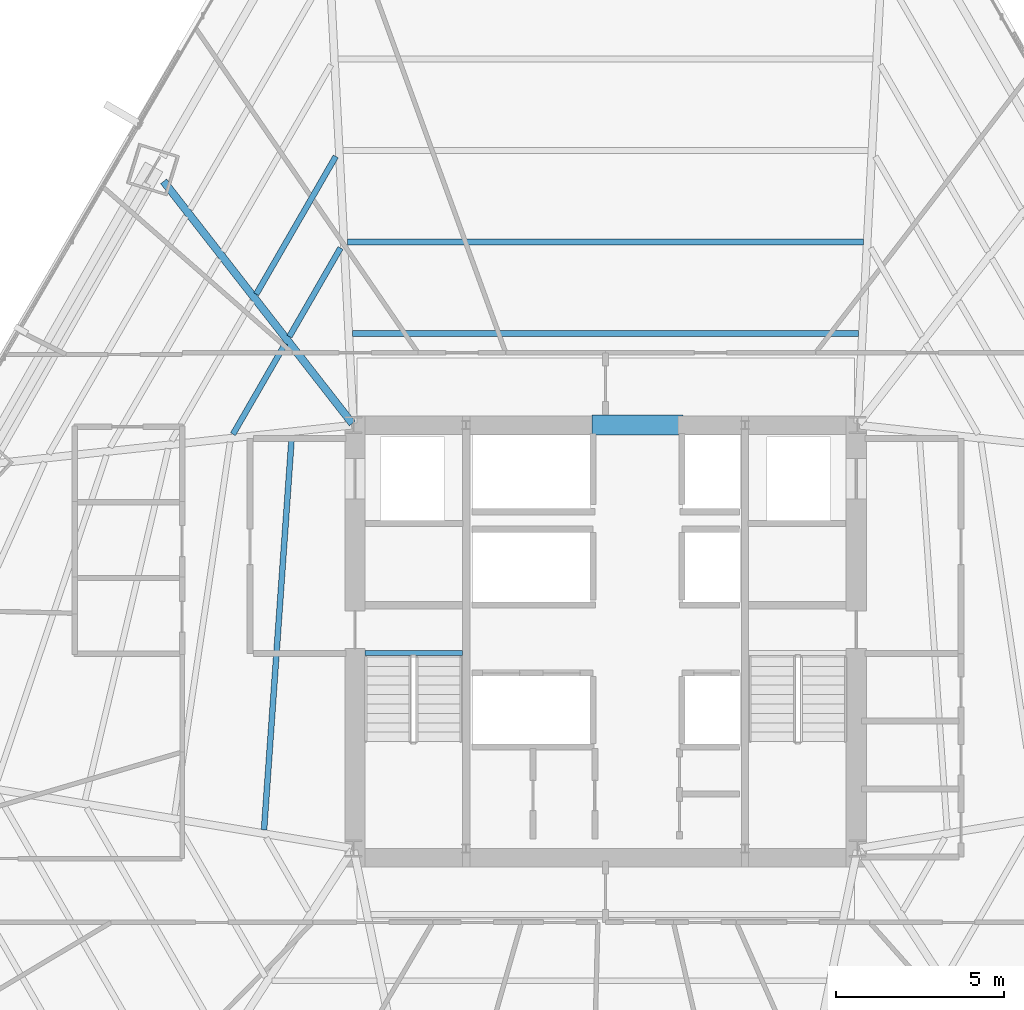
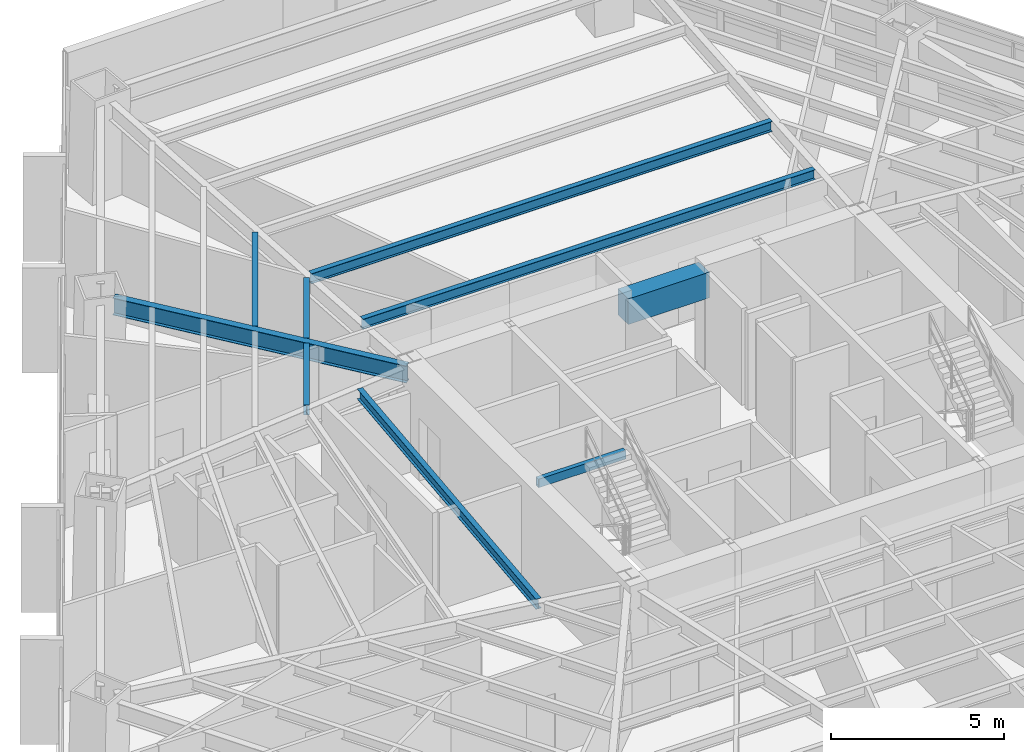
# One storey, part 15 of 36: 9 beams.
"""IFC4 building model written with IfcOpenShell, lengths in metres."""

from ifc_helpers import new_model, si_unit, direction, frame, origin, origin_2d, place, context, subcontext, project, spatial, rectangle, hollow_rectangle, i_section, extrude, source, transform, mapped, material, material_profile, profile_set, type_object, type_shapes, element, save


model = new_model("IFC4")

# Units and contexts
model_context = context("Model", 3, precision=1e-05, world=origin(), true_north=direction((0.0, 1.0)))
body_context = subcontext(model_context, "Body", "Model", "MODEL_VIEW")
ifc_project = project(units=[si_unit("LENGTHUNIT", "METRE"), si_unit("AREAUNIT", "SQUARE_METRE"), si_unit("VOLUMEUNIT", "CUBIC_METRE"), si_unit("PLANEANGLEUNIT", "RADIAN"), si_unit("MASSUNIT", "GRAM", prefix="KILO")], contexts=[model_context])

# Site, building, storey
site_placement = place(None, origin())
site = spatial("IfcSite", under=ifc_project, at=site_placement, CompositionType="ELEMENT")
building_placement = place(site_placement, origin())
building = spatial("IfcBuilding", under=site, at=building_placement, Name="Caelisora Broadcast Tower", CompositionType="ELEMENT")
storey_placement = place(building_placement, frame((0.0, 0.0, 64.10009765625)))
storey = spatial("IfcBuildingStorey", under=building, at=storey_placement, Name="L16", CompositionType="ELEMENT", Elevation=64.10009765625)

# Beams
ifc_material_1 = material(Name="Steel Grade 350 (AS/NZS 1163 C350L0)", Category="steel")
ifc_material_profile_1 = material_profile(ifc_material_1, hollow_rectangle(XDim=0.14990234375, YDim=0.300048828125, WallThickness=0.010009765625, at=origin_2d()), Name="Steel Grade 350 (AS/NZS 1163 C350L0)")
ifc_profile_set_1 = profile_set([ifc_material_profile_1], Name="Steel Grade 350 (AS/NZS 1163 C350L0)")
beam_type_1 = type_object("IfcBeamType", Name="SB05", PredefinedType="JOIST", material=ifc_profile_set_1)
shared_shape_1 = source(origin(), body_context, "Body", "SweptSolid", [
    extrude(hollow_rectangle(XDim=0.14990234375, YDim=0.300048828125, WallThickness=0.010009765625, at=origin_2d()), origin(), (0.0, 0.0, 1.0), 2.89990234375),
])
type_shapes(beam_type_1, [shared_shape_1])
beam_1_placement = place(storey_placement, frame((30.840087890625, 23.219970703125, 3.25), z_axis=(1.0, 0.0, 0.0), x_axis=(0.0, 1.0, 0.0)))
element("IfcBeam", 1, at=beam_1_placement, inside=storey, type_object=beam_type_1, Name="L16 beam SB05", PredefinedType="JOIST", context=body_context, shape_type="MappedRepresentation", body=[
    mapped(shared_shape_1, transform((0.0, 0.0, 0.0), scale=1.0)),
])
ifc_material_2 = material(Name="Concrete 50 MPa (AS 3600 S50)", Category="concrete")
ifc_material_profile_2 = material_profile(ifc_material_2, rectangle(XDim=0.60009765625, YDim=0.89990234375, at=origin_2d()), Name="Concrete 50 MPa (AS 3600 S50)")
ifc_profile_set_2 = profile_set([ifc_material_profile_2], Name="Concrete 50 MPa (AS 3600 S50)")
beam_type_2 = type_object("IfcBeamType", Name="CB02", PredefinedType="LINTEL", material=ifc_profile_set_2)
shared_shape_2 = source(origin(), body_context, "Body", "SweptSolid", [
    extrude(rectangle(XDim=0.60009765625, YDim=0.89990234375, at=origin_2d()), origin(), (0.0, 0.0, 1.0), 2.699951171875),
])
type_shapes(beam_type_2, [shared_shape_2])
beam_2_placement = place(storey_placement, frame((37.60009765625, 30.0, 2.949951171875), z_axis=(1.0, 0.0, 0.0), x_axis=(0.0, 1.0, 0.0)))
element("IfcBeam", 2, at=beam_2_placement, inside=storey, type_object=beam_type_2, Name="L16 beam CB02", PredefinedType="LINTEL", context=body_context, shape_type="MappedRepresentation", body=[
    mapped(shared_shape_2, transform((0.0, 0.0, 0.0), scale=1.0)),
])
ifc_material_3 = material(Name="Steel Grade 350 (AS/NZS 3679.1)", Category="steel")
ifc_material_profile_3 = material_profile(ifc_material_3, i_section(OverallWidth=0.22802734375, OverallDepth=0.602294921875, WebThickness=0.010498046875, FlangeThickness=0.014892578125, at=origin_2d()), Name="Steel Grade 350 (AS/NZS 3679.1)")
ifc_profile_set_3 = profile_set([ifc_material_profile_3], Name="Steel Grade 350 (AS/NZS 3679.1)")
beam_type_3 = type_object("IfcBeamType", Name="PG04", PredefinedType="BEAM", material=ifc_profile_set_3)
shared_shape_3 = source(origin(), body_context, "Body", "SweptSolid", [
    extrude(i_section(OverallWidth=0.22802734375, OverallDepth=0.602294921875, WebThickness=0.010498046875, FlangeThickness=0.014892578125, at=origin_2d()), origin(), (0.0, 0.0, 1.0), 9.133544921875),
])
type_shapes(beam_type_3, [shared_shape_3])
beam_3_placement = place(storey_placement, frame((30.463134765625, 30.04736328125, 3.098876953125), z_axis=(-0.614758215189, 0.788715624835, 0.0), x_axis=(-0.788715624835, -0.614758215189, 0.0)))
element("IfcBeam", 3, at=beam_3_placement, inside=storey, type_object=beam_type_3, Name="L16 beam PG04", PredefinedType="BEAM", context=body_context, shape_type="MappedRepresentation", body=[
    mapped(shared_shape_3, transform((0.0, 0.0, 0.0), scale=1.0)),
])
ifc_material_profile_4 = material_profile(ifc_material_3, i_section(OverallWidth=0.172119140625, OverallDepth=0.358642578125, WebThickness=0.008056640625, FlangeThickness=0.012939453125, at=origin_2d()), Name="Steel Grade 350 (AS/NZS 3679.1)")
ifc_profile_set_4 = profile_set([ifc_material_profile_4], Name="Steel Grade 350 (AS/NZS 3679.1)")
beam_type_4 = type_object("IfcBeamType", Name="SB02", PredefinedType="JOIST", material=ifc_profile_set_4)
shared_shape_4 = source(origin(), body_context, "Body", "SweptSolid", [
    extrude(i_section(OverallWidth=0.172119140625, OverallDepth=0.358642578125, WebThickness=0.008056640625, FlangeThickness=0.012939453125, at=origin_2d()), origin(), (0.0, 0.0, 1.0), 15.06201171875),
])
beam_4_placement = place(storey_placement, frame((45.531005859375, 32.723876953125, 3.220703125), z_axis=(-1.0, 0.0, 0.0), x_axis=(0.0, -1.0, 0.0)))
element("IfcBeam", 4, at=beam_4_placement, inside=storey, type_object=beam_type_4, Name="L16 beam SB02", PredefinedType="JOIST", context=body_context, shape_type="MappedRepresentation", body=[
    mapped(shared_shape_4, transform((0.0, 0.0, 0.0), scale=1.0)),
])
shared_shape_5 = source(origin(), body_context, "Body", "SweptSolid", [
    extrude(i_section(OverallWidth=0.172119140625, OverallDepth=0.358642578125, WebThickness=0.008056640625, FlangeThickness=0.012939453125, at=origin_2d()), origin(), (0.0, 0.0, 1.0), 15.345703125),
])
beam_5_placement = place(storey_placement, frame((45.6728515625, 35.447509765625, 3.220703125), z_axis=(-1.0, 0.0, 0.0), x_axis=(0.0, -1.0, 0.0)))
element("IfcBeam", 5, at=beam_5_placement, inside=storey, type_object=beam_type_4, Name="L16 beam SB02", PredefinedType="JOIST", context=body_context, shape_type="MappedRepresentation", body=[
    mapped(shared_shape_5, transform((0.0, 0.0, 0.0), scale=1.0)),
])
shared_shape_6 = source(origin(), body_context, "Body", "SweptSolid", [
    extrude(i_section(OverallWidth=0.172119140625, OverallDepth=0.358642578125, WebThickness=0.008056640625, FlangeThickness=0.012939453125, at=origin_2d()), origin(), (0.0, 0.0, 1.0), 3.04541015625),
])
beam_6_placement = place(storey_placement, frame((30.11279296875, 35.268798828125, 3.220703125), z_axis=(-0.49999308822, -0.866029394266, 0.0), x_axis=(0.866029394266, -0.49999308822, 0.0)))
element("IfcBeam", 6, at=beam_6_placement, inside=storey, type_object=beam_type_4, Name="L16 beam SB02", PredefinedType="JOIST", context=body_context, shape_type="MappedRepresentation", body=[
    mapped(shared_shape_6, transform((0.0, 0.0, 0.0), scale=1.0)),
])
shared_shape_7 = source(origin(), body_context, "Body", "SweptSolid", [
    extrude(i_section(OverallWidth=0.172119140625, OverallDepth=0.358642578125, WebThickness=0.008056640625, FlangeThickness=0.012939453125, at=origin_2d()), origin(), (0.0, 0.0, 1.0), 4.7314453125),
])
beam_7_placement = place(storey_placement, frame((29.970703125, 37.99267578125, 3.220703125), z_axis=(-0.500012787896, -0.866018020563, 0.0), x_axis=(0.866018020563, -0.500012787896, 0.0)))
element("IfcBeam", 7, at=beam_7_placement, inside=storey, type_object=beam_type_4, Name="L16 beam SB02", PredefinedType="JOIST", context=body_context, shape_type="MappedRepresentation", body=[
    mapped(shared_shape_7, transform((0.0, 0.0, 0.0), scale=1.0)),
])
shared_shape_8 = source(origin(), body_context, "Body", "SweptSolid", [
    extrude(i_section(OverallWidth=0.172119140625, OverallDepth=0.358642578125, WebThickness=0.008056640625, FlangeThickness=0.012939453125, at=origin_2d()), origin(), (0.0, 0.0, 1.0), 3.11376953125),
])
beam_8_placement = place(storey_placement, frame((28.469970703125, 32.423583984375, 3.220703125), z_axis=(-0.50000977808, -0.866019758334, 0.0), x_axis=(0.866019758334, -0.50000977808, 0.0)))
element("IfcBeam", 8, at=beam_8_placement, inside=storey, type_object=beam_type_4, Name="L16 beam SB02", PredefinedType="JOIST", context=body_context, shape_type="MappedRepresentation", body=[
    mapped(shared_shape_8, transform((0.0, 0.0, 0.0), scale=1.0)),
])
shared_shape_9 = source(origin(), body_context, "Body", "SweptSolid", [
    extrude(i_section(OverallWidth=0.172119140625, OverallDepth=0.358642578125, WebThickness=0.008056640625, FlangeThickness=0.012939453125, at=origin_2d()), origin(), (0.0, 0.0, 1.0), 11.765380859375),
])
type_shapes(beam_type_4, [shared_shape_4, shared_shape_5, shared_shape_6, shared_shape_7, shared_shape_8, shared_shape_9])
beam_9_placement = place(storey_placement, frame((28.6640625, 29.691162109375, 3.220703125), z_axis=(-0.070303231789, -0.997525666637, 0.0), x_axis=(0.997525666637, -0.070303231789, 0.0)))
element("IfcBeam", 9, at=beam_9_placement, inside=storey, type_object=beam_type_4, Name="L16 beam SB02", PredefinedType="JOIST", context=body_context, shape_type="MappedRepresentation", body=[
    mapped(shared_shape_9, transform((0.0, 0.0, 0.0), scale=1.0)),
])

save(model, "model.ifc")
